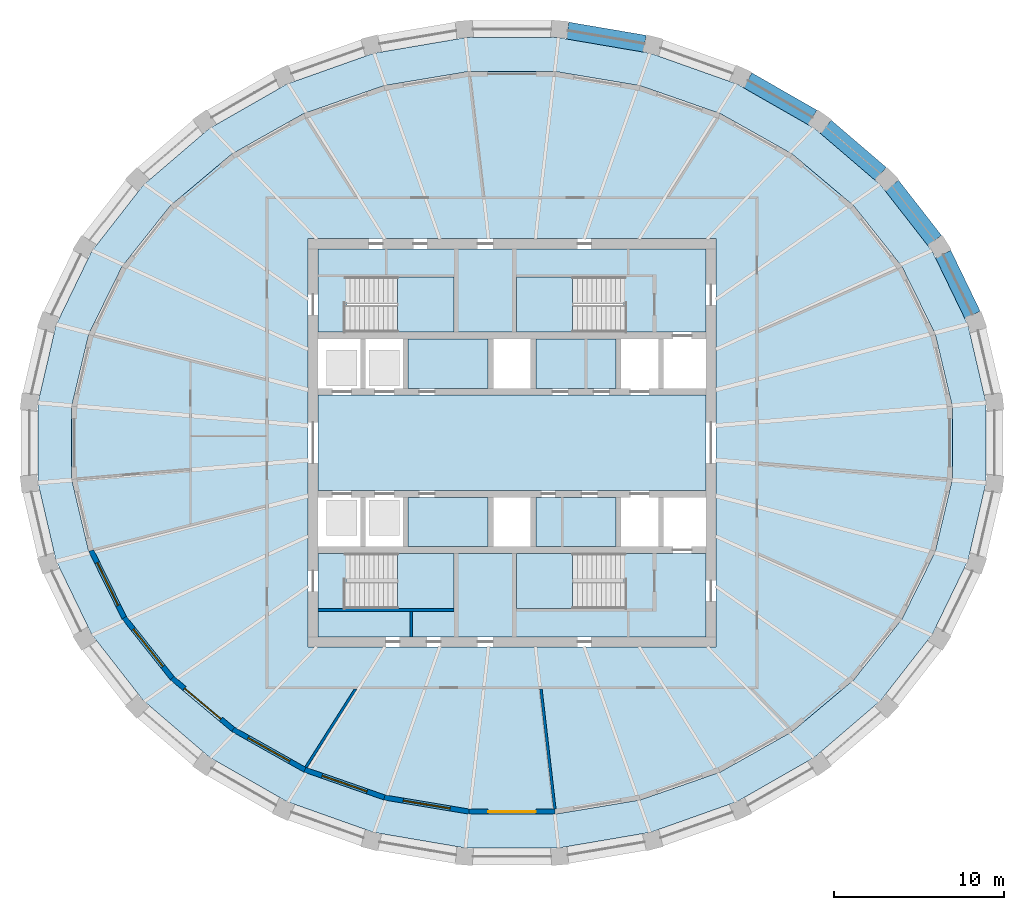
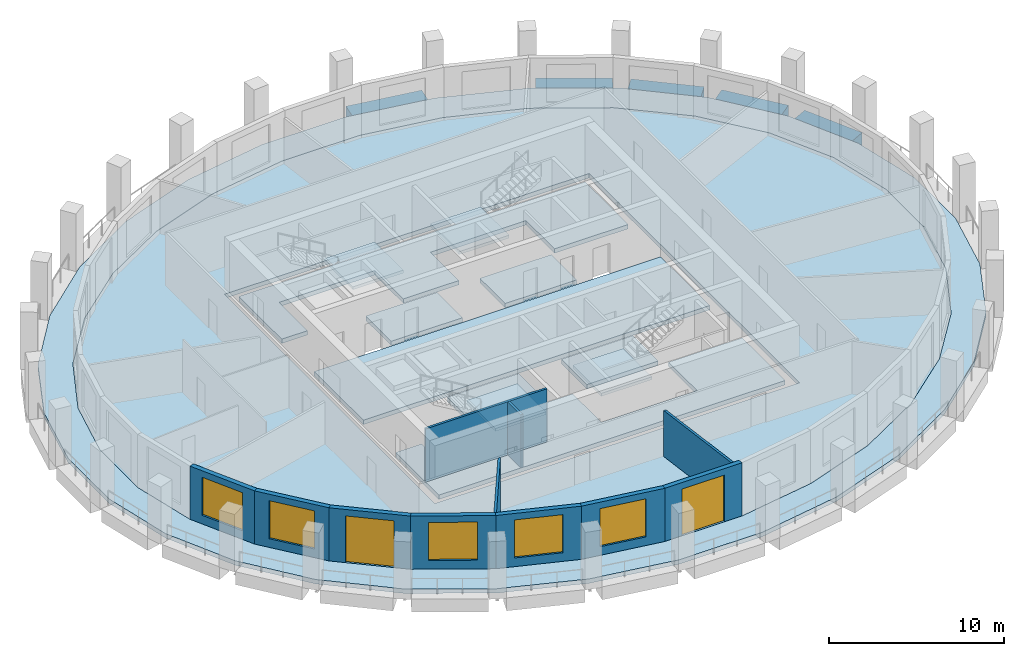
# One storey, part 2 of 10: 13 slabs, 11 walls, 5 beams, 5 windows, 2 doors, 7 openings, 4 elements without a shape of their own.
"""IFC4 building model written with IfcOpenShell, lengths in metres."""

from ifc_helpers import new_model, si_unit, direction, frame, frame_2d, origin, origin_2d, place, context, subcontext, project, spatial, polyline, rectangle, outline, extrude, material, layer, layer_set, material_profile, profile_set, type_object, element, fill, aggregate, save


model = new_model("IFC4")

# Units and contexts
model_context = context("Model", 3, precision=1e-05, world=origin(), true_north=direction((0.0, 1.0)))
body_context = subcontext(model_context, "Body", "Model", "MODEL_VIEW")
ifc_project = project(units=[si_unit("LENGTHUNIT", "METRE"), si_unit("AREAUNIT", "SQUARE_METRE"), si_unit("VOLUMEUNIT", "CUBIC_METRE"), si_unit("PLANEANGLEUNIT", "RADIAN"), si_unit("MASSUNIT", "GRAM", prefix="KILO")], contexts=[model_context])

# Site, building, storey
site_placement = place(None, origin())
site = spatial("IfcSite", under=ifc_project, at=site_placement, CompositionType="ELEMENT")
building_placement = place(site_placement, origin())
building = spatial("IfcBuilding", under=site, at=building_placement, Name="Halqa Exchange Tower", CompositionType="ELEMENT")
storey_placement = place(building_placement, frame((0.0, 0.0, 316.300048828125)))
storey = spatial("IfcBuildingStorey", under=building, at=storey_placement, Name="L74", CompositionType="ELEMENT", Elevation=316.300048828125)

# Beams
ifc_material_1 = material(Name="Concrete C60/75", Category="concrete")
ifc_material_profile = material_profile(ifc_material_1, rectangle(XDim=1.0, YDim=0.89990234375, at=origin_2d()), Name="1000 x 900")
ifc_profile_set = profile_set([ifc_material_profile], Name="Concrete C60/75")
beam_type = type_object("IfcBeamType", Name="RC spandrel beam 1000 x 900 C60/75", PredefinedType="SPANDREL", material=ifc_profile_set)
beam_1_placement = place(storey_placement, frame((27.06591796875, 7.519287109375, -0.449951171875), z_axis=(-0.43505216676, 0.900405248873, 0.0), x_axis=(-0.900405248873, -0.43505216676, 0.0)))
element("IfcBeam", 1, at=beam_1_placement, inside=storey, type_object=beam_type, Name="Spandrel 2", PredefinedType="SPANDREL", context=body_context, shape_type="SweptSolid", body=[
    extrude(rectangle(XDim=1.0, YDim=0.89990234375, at=origin_2d()), origin(), (0.0, 0.0, 1.0), 3.964111328125),
])
beam_2_placement = place(storey_placement, frame((24.8427734375, 11.89013671875, -0.449951171875), z_axis=(-0.61480594236, 0.788678421943, 0.0), x_axis=(-0.788678421943, -0.61480594236, 0.0)))
element("IfcBeam", 2, at=beam_2_placement, inside=storey, type_object=beam_type, Name="Spandrel 3", PredefinedType="SPANDREL", context=body_context, shape_type="SweptSolid", body=[
    extrude(rectangle(XDim=1.0, YDim=0.89990234375, at=origin_2d()), origin(), (0.0, 0.0, 1.0), 4.10009765625),
])
beam_3_placement = place(storey_placement, frame((21.670654296875, 15.805908203125, -0.449951171875), z_axis=(-0.759232294843, 0.65081973116, 0.0), x_axis=(-0.65081973116, -0.759232294843, 0.0)))
element("IfcBeam", 3, at=beam_3_placement, inside=storey, type_object=beam_type, Name="Spandrel 4", PredefinedType="SPANDREL", context=body_context, shape_type="SweptSolid", body=[
    extrude(rectangle(XDim=1.0, YDim=0.89990234375, at=origin_2d()), origin(), (0.0, 0.0, 1.0), 4.25390625),
])
beam_4_placement = place(storey_placement, frame((17.669189453125, 19.119140625, -0.449951171875), z_axis=(-0.86778573249, 0.49693855001, 0.0), x_axis=(-0.49693855001, -0.86778573249, 0.0)))
element("IfcBeam", 4, at=beam_4_placement, inside=storey, type_object=beam_type, Name="Spandrel 5", PredefinedType="SPANDREL", context=body_context, shape_type="SweptSolid", body=[
    extrude(rectangle(XDim=1.0, YDim=0.89990234375, at=origin_2d()), origin(), (0.0, 0.0, 1.0), 4.40478515625),
])
beam_5_placement = place(storey_placement, frame((7.805419921875, 23.456298828125, -0.449951171875), z_axis=(-0.985773042695, 0.168081849987, 0.0), x_axis=(-0.168081849987, -0.985773042695, 0.0)))
element("IfcBeam", 5, at=beam_5_placement, inside=storey, type_object=beam_type, Name="Spandrel 7", PredefinedType="SPANDREL", context=body_context, shape_type="SweptSolid", body=[
    extrude(rectangle(XDim=1.0, YDim=0.89990234375, at=origin_2d()), origin(), (0.0, 0.0, 1.0), 4.6103515625),
])

# Slabs
ifc_layer_1 = layer(ifc_material_1, 0.300048828125)
ifc_layer_set_1 = layer_set([ifc_layer_1], Name="Concrete C60/75")
slab_type_1 = type_object("IfcSlabType", Name="Core floor slab 300", PredefinedType="FLOOR", material=ifc_layer_set_1)
slab_1_placement = place(storey_placement, frame((0.0, 0.0, -0.300048828125)))
element("IfcSlab", 6, at=slab_1_placement, inside=storey, type_object=slab_type_1, Name="Core floor slab", PredefinedType="FLOOR", context=body_context, shape_type="SweptSolid", body=[
    extrude(outline(polyline([(-11.39990234375, 2.800048828125), (11.39990234375, 2.800048828125), (11.39990234375, -2.800048828125), (-11.39990234375, -2.800048828125), (-11.39990234375, 2.800048828125)])), origin(), (0.0, 0.0, 1.0), 0.300048828125),
])
slab_2_placement = place(storey_placement, frame((0.0, 0.0, -0.300048828125)))
element("IfcSlab", 7, at=slab_2_placement, inside=storey, type_object=slab_type_1, Name="Core floor slab", PredefinedType="FLOOR", context=body_context, shape_type="SweptSolid", body=[
    extrude(outline(polyline([(-11.39990234375, 11.39990234375), (11.39990234375, 11.39990234375), (11.39990234375, 6.5), (6.550048828125, 6.5), (6.550048828125, 9.75), (0.25, 9.75), (0.25, 6.5), (-3.39990234375, 6.5), (-3.39990234375, 9.75), (-9.699951171875, 9.75), (-9.699951171875, 6.5), (-11.39990234375, 6.5), (-11.39990234375, 11.39990234375)])), origin(), (0.0, 0.0, 1.0), 0.300048828125),
])
slab_3_placement = place(storey_placement, frame((0.0, 0.0, -0.300048828125)))
element("IfcSlab", 8, at=slab_3_placement, inside=storey, type_object=slab_type_1, Name="Core floor slab", PredefinedType="FLOOR", context=body_context, shape_type="SweptSolid", body=[
    extrude(outline(polyline([(-11.39990234375, -6.5), (-9.699951171875, -6.5), (-9.699951171875, -9.75), (-3.39990234375, -9.75), (-3.39990234375, -6.5), (0.25, -6.5), (0.25, -9.75), (6.550048828125, -9.75), (6.550048828125, -6.5), (11.39990234375, -6.5), (11.39990234375, -11.39990234375), (-11.39990234375, -11.39990234375), (-11.39990234375, -6.5)])), origin(), (0.0, 0.0, 1.0), 0.300048828125),
])
slab_4_placement = place(storey_placement, frame((0.0, 0.0, -0.300048828125)))
element("IfcSlab", 9, at=slab_4_placement, inside=storey, type_object=slab_type_1, Name="Core floor slab", PredefinedType="FLOOR", context=body_context, shape_type="SweptSolid", body=[
    extrude(outline(polyline([(-1.39990234375, -3.199951171875), (-1.39990234375, -6.10009765625), (-6.10009765625, -6.10009765625), (-6.10009765625, -3.199951171875), (-1.39990234375, -3.199951171875)])), origin(), (0.0, 0.0, 1.0), 0.300048828125),
])
slab_5_placement = place(storey_placement, frame((0.0, 0.0, -0.300048828125)))
element("IfcSlab", 10, at=slab_5_placement, inside=storey, type_object=slab_type_1, Name="Core floor slab", PredefinedType="FLOOR", context=body_context, shape_type="SweptSolid", body=[
    extrude(outline(polyline([(-1.39990234375, 3.199951171875), (-6.10009765625, 3.199951171875), (-6.10009765625, 6.10009765625), (-1.39990234375, 6.10009765625), (-1.39990234375, 3.199951171875)])), origin(), (0.0, 0.0, 1.0), 0.300048828125),
])
slab_6_placement = place(storey_placement, frame((0.0, 0.0, -0.300048828125)))
element("IfcSlab", 11, at=slab_6_placement, inside=storey, type_object=slab_type_1, Name="Core floor slab", PredefinedType="FLOOR", context=body_context, shape_type="SweptSolid", body=[
    extrude(outline(polyline([(6.10009765625, -3.199951171875), (6.10009765625, -6.10009765625), (1.39990234375, -6.10009765625), (1.39990234375, -3.199951171875), (6.10009765625, -3.199951171875)])), origin(), (0.0, 0.0, 1.0), 0.300048828125),
])
slab_7_placement = place(storey_placement, frame((0.0, 0.0, -0.300048828125)))
element("IfcSlab", 12, at=slab_7_placement, inside=storey, type_object=slab_type_1, Name="Core floor slab", PredefinedType="FLOOR", context=body_context, shape_type="SweptSolid", body=[
    extrude(outline(polyline([(6.10009765625, 6.10009765625), (6.10009765625, 3.199951171875), (1.39990234375, 3.199951171875), (1.39990234375, 6.10009765625), (6.10009765625, 6.10009765625)])), origin(), (0.0, 0.0, 1.0), 0.300048828125),
])
ifc_material_2 = material(Name="Concrete C40/50", Category="concrete")
ifc_layer_2 = layer(ifc_material_2, 0.300048828125)
ifc_layer_set_2 = layer_set([ifc_layer_2], Name="Concrete C40/50")
slab_type_2 = type_object("IfcSlabType", Name="RC floor slab 300", PredefinedType="FLOOR", material=ifc_layer_set_2)
slab_8_placement = place(storey_placement, frame((0.0, 0.0, -0.300048828125)))
element("IfcSlab", 13, at=slab_8_placement, inside=storey, type_object=slab_type_2, Name="Floor slab", PredefinedType="FLOOR", context=body_context, shape_type="SweptSolid", body=[
    extrude(outline(polyline([(25.876220703125, 2.155029296875), (24.877685546875, 6.380615234375), (22.92041015625, 10.35693359375), (20.08251953125, 13.93115234375), (16.4755859375, 16.966796875), (12.23876953125, 19.34912109375), (7.534912109375, 20.989013671875), (2.5439453125, 21.824462890625), (-2.5439453125, 21.824462890625), (-7.534912109375, 20.989013671875), (-12.23876953125, 19.34912109375), (-16.4755859375, 16.966796875), (-20.08251953125, 13.93115234375), (-22.92041015625, 10.35693359375), (-24.877685546875, 6.380615234375), (-25.876220703125, 2.155029296875), (-25.876220703125, -2.155029296875), (-24.877685546875, -6.380615234375), (-22.92041015625, -10.35693359375), (-20.08251953125, -13.93115234375), (-16.4755859375, -16.966796875), (-12.23876953125, -19.34912109375), (-7.534912109375, -20.989013671875), (-2.5439453125, -21.824462890625), (2.5439453125, -21.824462890625), (7.534912109375, -20.989013671875), (12.23876953125, -19.34912109375), (16.4755859375, -16.966796875), (20.08251953125, -13.93115234375), (22.92041015625, -10.35693359375), (24.877685546875, -6.380615234375), (25.876220703125, -2.155029296875), (25.876220703125, 2.155029296875)]), holes=[polyline([(-12.0, -12.0), (12.0, -12.0), (12.0, 12.0), (-12.0, 12.0), (-12.0, -12.0)])]), origin(), (0.0, 0.0, 1.0), 0.300048828125),
])
ifc_layer_3 = layer(ifc_material_2, 0.300048828125)
ifc_layer_set_3 = layer_set([ifc_layer_3], Name="Concrete C40/50")
slab_type_3 = type_object("IfcSlabType", Name="RC loggia slab 300", PredefinedType="FLOOR", material=ifc_layer_set_3)
slab_9_placement = place(storey_placement, frame((0.0, 0.0, -0.300048828125)))
element("IfcSlab", 14, at=slab_9_placement, inside=storey, type_object=slab_type_3, Name="Loggia slab", PredefinedType="FLOOR", context=body_context, shape_type="SweptSolid", body=[
    extrude(outline(polyline([(27.86279296875, 2.337158203125), (27.86279296875, -2.337158203125), (26.79833984375, -6.923828125), (24.707763671875, -11.250244140625), (21.667236328125, -15.150390625), (17.790771484375, -18.47314453125), (13.22509765625, -21.087890625), (8.146484375, -22.89111328125), (2.751220703125, -23.81103515625), (-2.751220703125, -23.81103515625), (-8.146484375, -22.89111328125), (-13.22509765625, -21.087890625), (-17.790771484375, -18.47314453125), (-21.667236328125, -15.150390625), (-24.707763671875, -11.250244140625), (-26.79833984375, -6.923828125), (-27.86279296875, -2.337158203125), (-27.86279296875, 2.337158203125), (-26.79833984375, 6.923828125), (-24.707763671875, 11.250244140625), (-21.667236328125, 15.150390625), (-17.790771484375, 18.47314453125), (-13.22509765625, 21.087890625), (-8.146484375, 22.89111328125), (-2.751220703125, 23.81103515625), (2.751220703125, 23.81103515625), (8.146484375, 22.89111328125), (13.22509765625, 21.087890625), (17.790771484375, 18.47314453125), (21.667236328125, 15.150390625), (24.707763671875, 11.250244140625), (26.79833984375, 6.923828125), (27.86279296875, 2.337158203125)]), holes=[polyline([(25.876220703125, 2.155029296875), (24.877685546875, 6.380615234375), (22.92041015625, 10.35693359375), (20.08251953125, 13.93115234375), (16.4755859375, 16.966796875), (12.23876953125, 19.34912109375), (7.534912109375, 20.989013671875), (2.5439453125, 21.824462890625), (-2.5439453125, 21.824462890625), (-7.534912109375, 20.989013671875), (-12.23876953125, 19.34912109375), (-16.4755859375, 16.966796875), (-20.08251953125, 13.93115234375), (-22.92041015625, 10.35693359375), (-24.877685546875, 6.380615234375), (-25.876220703125, 2.155029296875), (-25.876220703125, -2.155029296875), (-24.877685546875, -6.380615234375), (-22.92041015625, -10.35693359375), (-20.08251953125, -13.93115234375), (-16.4755859375, -16.966796875), (-12.23876953125, -19.34912109375), (-7.534912109375, -20.989013671875), (-2.5439453125, -21.824462890625), (2.5439453125, -21.824462890625), (7.534912109375, -20.989013671875), (12.23876953125, -19.34912109375), (16.4755859375, -16.966796875), (20.08251953125, -13.93115234375), (22.92041015625, -10.35693359375), (24.877685546875, -6.380615234375), (25.876220703125, -2.155029296875), (25.876220703125, 2.155029296875)])]), origin(), (0.0, 0.0, 1.0), 0.300048828125),
])

# Stair, slab
ifc_material_3 = material(Name="Concrete C30/37", Category="concrete")
stair_type = type_object("IfcStairType", Name="Exit stair 1500 wide", PredefinedType="HALF_TURN_STAIR", material=ifc_material_3)
stair_1_placement = place(storey_placement, origin())
stair_1 = element("IfcStair", 15, at=stair_1_placement, inside=storey, type_object=stair_type, Name="Exit stair ST1", PredefinedType="HALF_TURN_STAIR")
ifc_layer_4 = layer(ifc_material_3, 0.199951171875)
ifc_layer_set_4 = layer_set([ifc_layer_4], Name="Concrete C30/37")
slab_type_4 = type_object("IfcSlabType", Name="Stair landing 200 slab", PredefinedType="LANDING", material=ifc_layer_set_4)
slab_10_placement = place(storey_placement, frame((0.0, 0.0, 1.800048828125)))
slab_10 = element("IfcSlab", 16, at=slab_10_placement, type_object=slab_type_4, Name="ST1 landing 1", PredefinedType="LANDING", context=body_context, shape_type="SweptSolid", body=[
    extrude(outline(polyline([(-6.719970703125, 6.5), (-3.39990234375, 6.5), (-3.39990234375, 9.75), (-6.719970703125, 9.75), (-6.719970703125, 6.5)])), origin(), (0.0, 0.0, 1.0), 0.199951171875),
])
aggregate(stair_1, [slab_10])

stair_2_placement = place(storey_placement, origin())
stair_2 = element("IfcStair", 17, at=stair_2_placement, inside=storey, type_object=stair_type, Name="Exit stair ST2", PredefinedType="HALF_TURN_STAIR")
slab_11_placement = place(storey_placement, frame((0.0, 0.0, 1.800048828125)))
slab_11 = element("IfcSlab", 18, at=slab_11_placement, type_object=slab_type_4, Name="ST2 landing 1", PredefinedType="LANDING", context=body_context, shape_type="SweptSolid", body=[
    extrude(outline(polyline([(0.25, 6.5), (3.570068359375, 6.5), (3.570068359375, 9.75), (0.25, 9.75), (0.25, 6.5)])), origin(), (0.0, 0.0, 1.0), 0.199951171875),
])
aggregate(stair_2, [slab_11])

stair_3_placement = place(storey_placement, origin())
stair_3 = element("IfcStair", 19, at=stair_3_placement, inside=storey, type_object=stair_type, Name="Exit stair ST3", PredefinedType="HALF_TURN_STAIR")
slab_12_placement = place(storey_placement, frame((0.0, 0.0, 1.800048828125)))
slab_12 = element("IfcSlab", 20, at=slab_12_placement, type_object=slab_type_4, Name="ST3 landing 1", PredefinedType="LANDING", context=body_context, shape_type="SweptSolid", body=[
    extrude(outline(polyline([(-6.719970703125, -9.75), (-3.39990234375, -9.75), (-3.39990234375, -6.5), (-6.719970703125, -6.5), (-6.719970703125, -9.75)])), origin(), (0.0, 0.0, 1.0), 0.199951171875),
])
aggregate(stair_3, [slab_12])

stair_4_placement = place(storey_placement, origin())
stair_4 = element("IfcStair", 21, at=stair_4_placement, inside=storey, type_object=stair_type, Name="Exit stair ST4", PredefinedType="HALF_TURN_STAIR")
slab_13_placement = place(storey_placement, frame((0.0, 0.0, 1.800048828125)))
slab_13 = element("IfcSlab", 22, at=slab_13_placement, type_object=slab_type_4, Name="ST4 landing 1", PredefinedType="LANDING", context=body_context, shape_type="SweptSolid", body=[
    extrude(outline(polyline([(0.25, -9.75), (3.570068359375, -9.75), (3.570068359375, -6.5), (0.25, -6.5), (0.25, -9.75)])), origin(), (0.0, 0.0, 1.0), 0.199951171875),
])
aggregate(stair_4, [slab_13])

# Walls
ifc_material_4 = material(Name="Fire-rated gypsum board")
ifc_layer_5 = layer(ifc_material_4, 0.14990234375)
ifc_layer_set_5 = layer_set([ifc_layer_5], Name="Fire-rated gypsum board")
wall_type_1 = type_object("IfcWallType", Name="Fire partition EI 60 150", PredefinedType="PARTITIONING", material=ifc_layer_set_5)
wall_1_placement = place(storey_placement, frame((-9.172119140625, -14.43505859375, 0.0), z_axis=(0.0, 0.0, 1.0), x_axis=(-0.536016173419, -0.844207712493, 0.0)))
element("IfcWall", 23, at=wall_1_placement, inside=storey, type_object=wall_type_1, Name="L74-PWL-009", PredefinedType="PARTITIONING", context=body_context, shape_type="SweptSolid", body=[
    extrude(outline(polyline([(0.094970703125, -0.074951171875), (1.89599609375, -0.074951171875), (3.697265625, -0.074951171875), (5.498291015625, -0.074951171875), (5.494140625, 0.002685546875), (5.477294921875, 0.074951171875), (3.6513671875, 0.074951171875), (1.82568359375, 0.074951171875), (0.0, 0.074951171875), (0.0, 0.074462890625), (0.094970703125, -0.074951171875)])), origin(), (0.0, 0.0, 1.0), 3.699951171875),
])
wall_2_placement = place(storey_placement, frame((1.69775390625, -14.466552734375, 0.0), z_axis=(0.0, 0.0, 1.0), x_axis=(0.115131681879, -0.993350238248, 0.0)))
element("IfcWall", 24, at=wall_2_placement, inside=storey, type_object=wall_type_1, Name="L74-PWL-012", PredefinedType="PARTITIONING", context=body_context, shape_type="SweptSolid", body=[
    extrude(outline(polyline([(0.0, -0.074951171875), (1.774169921875, -0.074951171875), (3.54833984375, -0.074951171875), (5.322265625, -0.074951171875), (7.096435546875, -0.074951171875), (7.1015625, -0.03125), (7.1015625, 0.074951171875), (5.33056640625, 0.074951171875), (3.559326171875, 0.074951171875), (1.788330078125, 0.074951171875), (0.01708984375, 0.074951171875), (0.0, -0.073486328125), (0.0, -0.074951171875)])), origin(), (0.0, 0.0, 1.0), 3.199951171875),
])
ifc_material_5 = material(Name="Gypsum board")
ifc_layer_6 = layer(ifc_material_5, 0.14990234375)
ifc_layer_set_6 = layer_set([ifc_layer_6], Name="Gypsum board")
wall_type_2 = type_object("IfcWallType", Name="Penthouse riser wall 150 gypsum", PredefinedType="PARTITIONING", material=ifc_layer_set_6)
wall_3_placement = place(storey_placement, frame((-5.925048828125, -11.39990234375, 0.0), z_axis=(0.0, 0.0, 1.0), x_axis=(0.0, 1.0, 0.0)))
element("IfcWall", 25, at=wall_3_placement, inside=storey, type_object=wall_type_2, Name="Partition W5.925 S", PredefinedType="PARTITIONING", context=body_context, shape_type="SweptSolid", body=[
    extrude(rectangle(XDim=1.5, YDim=0.14990234375, at=frame_2d((0.75, 0.0))), origin(), (0.0, 0.0, 1.0), 3.699951171875),
])
ifc_layer_7 = layer(ifc_material_3, 0.14990234375)
ifc_layer_set_7 = layer_set([ifc_layer_7], Name="Concrete C30/37")
wall_type_3 = type_object("IfcWallType", Name="RC stair wall 150 C30/37", PredefinedType="SHEAR", material=ifc_layer_set_7)
wall_4_placement = place(storey_placement, frame((-11.39990234375, -9.824951171875, 0.0), z_axis=(0.0, 0.0, 1.0), x_axis=(1.0, 0.0, 0.0)))
element("IfcWall", 26, at=wall_4_placement, inside=storey, type_object=wall_type_3, Name="Stair ST1 north wall S", PredefinedType="SHEAR", context=body_context, shape_type="SweptSolid", body=[
    extrude(rectangle(XDim=8.0, YDim=0.14990234375, at=frame_2d((4.0, 0.0))), origin(), (0.0, 0.0, 1.0), 3.699951171875),
])

# Wall, opening, window
ifc_material_6 = material(Name="Limestone cladding", Category="masonry")
ifc_layer_8 = layer(ifc_material_6, 0.0400390625)
ifc_material_7 = material(Name="Ventilated cavity")
ifc_layer_9 = layer(ifc_material_7, 0.030029296875, ventilated=True)
ifc_material_8 = material(Name="Mineral wool insulation")
ifc_layer_10 = layer(ifc_material_8, 0.10009765625)
ifc_layer_11 = layer(ifc_material_3, 0.10009765625)
ifc_material_9 = material(Name="Internal plaster")
ifc_layer_12 = layer(ifc_material_9, 0.030029296875)
ifc_layer_set_8 = layer_set([ifc_layer_8, ifc_layer_9, ifc_layer_10, ifc_layer_11, ifc_layer_12], Name="Stone-faced insulated wall 300")
wall_type_4 = type_object("IfcWallType", Name="Stone-faced insulated wall 300", PredefinedType="STANDARD", material=ifc_layer_set_8)
wall_5_placement = place(storey_placement, frame((-24.735595703125, -6.32958984375, 0.0), z_axis=(0.0, 0.0, 1.0), x_axis=(0.441610485853, -0.897206876247, 0.0)))
wall_5 = element("IfcWall", 27, at=wall_5_placement, inside=storey, type_object=wall_type_4, Name="Glass-line wall 18", PredefinedType="STANDARD", context=body_context, shape_type="SweptSolid", body=[
    extrude(outline(polyline([(-0.01708984375, -0.14990234375), (4.4150390625, -0.14990234375), (4.3828125, 0.14990234375), (0.01708984375, 0.14990234375), (-0.01708984375, -0.14990234375)])), origin(), (0.0, 0.0, 1.0), 3.699951171875),
])
opening_1_placement = place(wall_5_placement, frame((0.799560546875, 0.0, 0.60009765625)))
opening_1 = element("IfcOpeningElement", 28, at=opening_1_placement, cuts=wall_5, Name="Opening W-F4-18", PredefinedType="OPENING", context=body_context, shape_type="SweptSolid", body=[
    extrude(rectangle(XDim=2.800048828125, YDim=2.64990234375, at=frame_2d((1.39990234375, 1.324951171875))), frame((0.0, 0.162109375, 0.0), z_axis=(0.0, -1.0, 0.0), x_axis=(1.0, 0.0, 0.0)), (0.0, 0.0, 1.0), 0.323974609375),
])
ifc_material_10 = material(Name="Clear low-emissivity glass in aluminium frame", Category="aluminium")
window_type = type_object("IfcWindowType", Name="Fixed clear glazed window 2800 x 2650", PartitioningType="DOUBLE_PANEL_VERTICAL", PredefinedType="WINDOW", material=ifc_material_10)
window_1_placement = place(opening_1_placement, origin())
window_1 = element("IfcWindow", 29, at=window_1_placement, inside=storey, type_object=window_type, Name="Window 4", OverallHeight=2.64990234375, OverallWidth=2.800048828125, PartitioningType="DOUBLE_PANEL_VERTICAL", PredefinedType="WINDOW", context=body_context, shape_type="SweptSolid", body=[
    extrude(rectangle(XDim=2.800048828125, YDim=2.64990234375, at=frame_2d((1.39990234375, 1.324951171875))), frame((0.0, 0.030029296875, 0.0), z_axis=(0.0, -1.0, 0.0), x_axis=(1.0, 0.0, 0.0)), (0.0, 0.0, 1.0), 0.06005859375),
])
fill(opening_1, window_1)

wall_6_placement = place(storey_placement, frame((-22.79296875, -10.2763671875, 0.0), z_axis=(0.0, 0.0, 1.0), x_axis=(0.621800530555, -0.783175650925, 0.0)))
wall_6 = element("IfcWall", 30, at=wall_6_placement, inside=storey, type_object=wall_type_4, Name="Glass-line wall 19", PredefinedType="STANDARD", context=body_context, shape_type="SweptSolid", body=[
    extrude(outline(polyline([(-0.01611328125, -0.14990234375), (4.547607421875, -0.14990234375), (4.517333984375, 0.14990234375), (0.01611328125, 0.14990234375), (-0.01611328125, -0.14990234375)])), origin(), (0.0, 0.0, 1.0), 3.699951171875),
])
opening_2_placement = place(wall_6_placement, frame((0.8662109375, 0.0, 0.60009765625)))
opening_2 = element("IfcOpeningElement", 31, at=opening_2_placement, cuts=wall_6, Name="Opening W-F4-19", PredefinedType="OPENING", context=body_context, shape_type="SweptSolid", body=[
    extrude(rectangle(XDim=2.800048828125, YDim=2.64990234375, at=frame_2d((1.39990234375, 1.324951171875))), frame((0.0, 0.162109375, 0.0), z_axis=(0.0, -1.0, 0.0), x_axis=(1.0, 0.0, 0.0)), (0.0, 0.0, 1.0), 0.323974609375),
])
window_2_placement = place(opening_2_placement, origin())
window_2 = element("IfcWindow", 32, at=window_2_placement, inside=storey, type_object=window_type, Name="Window 4", OverallHeight=2.64990234375, OverallWidth=2.800048828125, PartitioningType="DOUBLE_PANEL_VERTICAL", PredefinedType="WINDOW", context=body_context, shape_type="SweptSolid", body=[
    extrude(rectangle(XDim=2.800048828125, YDim=2.64990234375, at=frame_2d((1.39990234375, 1.324951171875))), frame((0.0, 0.030029296875, 0.0), z_axis=(0.0, -1.0, 0.0), x_axis=(1.0, 0.0, 0.0)), (0.0, 0.0, 1.0), 0.06005859375),
])
fill(opening_2, window_2)

# Wall, opening, door
wall_7_placement = place(storey_placement, frame((-19.974609375, -13.826171875, 0.0), z_axis=(0.0, 0.0, 1.0), x_axis=(0.765128700347, -0.643877373344, 0.0)))
wall_7 = element("IfcWall", 33, at=wall_7_placement, inside=storey, type_object=wall_type_4, Name="Glass-line wall 20", PredefinedType="STANDARD", context=body_context, shape_type="SweptSolid", body=[
    extrude(outline(polyline([(-0.01513671875, -0.14990234375), (4.69970703125, -0.14990234375), (4.67138671875, 0.14990234375), (0.01513671875, 0.14990234375), (-0.01513671875, -0.14990234375)])), origin(), (0.0, 0.0, 1.0), 3.699951171875),
])
opening_3_placement = place(wall_7_placement, frame((0.942626953125, 0.0, 0.0)))
opening_3 = element("IfcOpeningElement", 34, at=opening_3_placement, cuts=wall_7, Name="Opening LG-F4-05", PredefinedType="OPENING", context=body_context, shape_type="SweptSolid", body=[
    extrude(rectangle(XDim=2.800048828125, YDim=3.25, at=frame_2d((1.39990234375, 1.625))), frame((0.0, 0.162109375, 0.0), z_axis=(0.0, -1.0, 0.0), x_axis=(1.0, 0.0, 0.0)), (0.0, 0.0, 1.0), 0.323974609375),
])
door_type = type_object("IfcDoorType", Name="Glazed sliding loggia door 2800 x 3250", OperationType="DOUBLE_DOOR_SLIDING", PredefinedType="DOOR", material=ifc_material_10)
door_1_placement = place(opening_3_placement, origin())
door_1 = element("IfcDoor", 35, at=door_1_placement, inside=storey, type_object=door_type, Name="Loggia door 5", OperationType="DOUBLE_DOOR_SLIDING", OverallHeight=3.25, OverallWidth=2.800048828125, PredefinedType="DOOR", context=body_context, shape_type="SweptSolid", body=[
    extrude(rectangle(XDim=2.800048828125, YDim=3.25, at=frame_2d((1.39990234375, 1.625))), frame((0.0, 0.02490234375, 0.0), z_axis=(0.0, -1.0, 0.0), x_axis=(1.0, 0.0, 0.0)), (0.0, 0.0, 1.0), 0.050048828125),
])
fill(opening_3, door_1)

# Wall, opening, window
wall_8_placement = place(storey_placement, frame((-16.3896484375, -16.843017578125, 0.0), z_axis=(0.0, 0.0, 1.0), x_axis=(0.871651071333, -0.49012693238, 0.0)))
wall_8 = element("IfcWall", 36, at=wall_8_placement, inside=storey, type_object=wall_type_4, Name="Glass-line wall 21", PredefinedType="STANDARD", context=body_context, shape_type="SweptSolid", body=[
    extrude(outline(polyline([(-0.01416015625, -0.14990234375), (4.846435546875, -0.14990234375), (4.820068359375, 0.14990234375), (0.01416015625, 0.14990234375), (-0.01416015625, -0.14990234375)])), origin(), (0.0, 0.0, 1.0), 3.699951171875),
])
opening_4_placement = place(wall_8_placement, frame((1.0166015625, 0.0, 0.60009765625)))
opening_4 = element("IfcOpeningElement", 37, at=opening_4_placement, cuts=wall_8, Name="Opening W-F4-21", PredefinedType="OPENING", context=body_context, shape_type="SweptSolid", body=[
    extrude(rectangle(XDim=2.800048828125, YDim=2.64990234375, at=frame_2d((1.39990234375, 1.324951171875))), frame((0.0, 0.162109375, 0.0), z_axis=(0.0, -1.0, 0.0), x_axis=(1.0, 0.0, 0.0)), (0.0, 0.0, 1.0), 0.323974609375),
])
window_3_placement = place(opening_4_placement, origin())
window_3 = element("IfcWindow", 38, at=window_3_placement, inside=storey, type_object=window_type, Name="Window 4", OverallHeight=2.64990234375, OverallWidth=2.800048828125, PartitioningType="DOUBLE_PANEL_VERTICAL", PredefinedType="WINDOW", context=body_context, shape_type="SweptSolid", body=[
    extrude(rectangle(XDim=2.800048828125, YDim=2.64990234375, at=frame_2d((1.39990234375, 1.324951171875))), frame((0.0, 0.030029296875, 0.0), z_axis=(0.0, -1.0, 0.0), x_axis=(1.0, 0.0, 0.0)), (0.0, 0.0, 1.0), 0.06005859375),
])
fill(opening_4, window_3)

wall_9_placement = place(storey_placement, frame((-12.1767578125, -19.2119140625, 0.0), z_axis=(0.0, 0.0, 1.0), x_axis=(0.944273917508, -0.329160703479, 0.0)))
wall_9 = element("IfcWall", 39, at=wall_9_placement, inside=storey, type_object=wall_type_4, Name="Glass-line wall 22", PredefinedType="STANDARD", context=body_context, shape_type="SweptSolid", body=[
    extrude(outline(polyline([(-0.01318359375, -0.14990234375), (4.968017578125, -0.14990234375), (4.942626953125, 0.14990234375), (0.01318359375, 0.14990234375), (-0.01318359375, -0.14990234375)])), origin(), (0.0, 0.0, 1.0), 3.699951171875),
])
opening_5_placement = place(wall_9_placement, frame((1.07763671875, 0.0, 0.60009765625)))
opening_5 = element("IfcOpeningElement", 40, at=opening_5_placement, cuts=wall_9, Name="Opening W-F4-22", PredefinedType="OPENING", context=body_context, shape_type="SweptSolid", body=[
    extrude(rectangle(XDim=2.800048828125, YDim=2.64990234375, at=frame_2d((1.39990234375, 1.324951171875))), frame((0.0, 0.162109375, 0.0), z_axis=(0.0, -1.0, 0.0), x_axis=(1.0, 0.0, 0.0)), (0.0, 0.0, 1.0), 0.323974609375),
])
window_4_placement = place(opening_5_placement, origin())
window_4 = element("IfcWindow", 41, at=window_4_placement, inside=storey, type_object=window_type, Name="Window 4", OverallHeight=2.64990234375, OverallWidth=2.800048828125, PartitioningType="DOUBLE_PANEL_VERTICAL", PredefinedType="WINDOW", context=body_context, shape_type="SweptSolid", body=[
    extrude(rectangle(XDim=2.800048828125, YDim=2.64990234375, at=frame_2d((1.39990234375, 1.324951171875))), frame((0.0, 0.030029296875, 0.0), z_axis=(0.0, -1.0, 0.0), x_axis=(1.0, 0.0, 0.0)), (0.0, 0.0, 1.0), 0.06005859375),
])
fill(opening_5, window_4)

wall_10_placement = place(storey_placement, frame((-7.49755859375, -20.843017578125, 0.0), z_axis=(0.0, 0.0, 1.0), x_axis=(0.986269147983, -0.165145898335, 0.0)))
wall_10 = element("IfcWall", 42, at=wall_10_placement, inside=storey, type_object=wall_type_4, Name="Glass-line wall 23", PredefinedType="STANDARD", context=body_context, shape_type="SweptSolid", body=[
    extrude(outline(polyline([(-0.0126953125, -0.14990234375), (5.047607421875, -0.14990234375), (5.022705078125, 0.14990234375), (0.0126953125, 0.14990234375), (-0.0126953125, -0.14990234375)])), origin(), (0.0, 0.0, 1.0), 3.699951171875),
])
opening_6_placement = place(wall_10_placement, frame((1.11767578125, 0.0, 0.60009765625)))
opening_6 = element("IfcOpeningElement", 43, at=opening_6_placement, cuts=wall_10, Name="Opening W-F4-23", PredefinedType="OPENING", context=body_context, shape_type="SweptSolid", body=[
    extrude(rectangle(XDim=2.800048828125, YDim=2.64990234375, at=frame_2d((1.39990234375, 1.324951171875))), frame((0.0, 0.162109375, 0.0), z_axis=(0.0, -1.0, 0.0), x_axis=(1.0, 0.0, 0.0)), (0.0, 0.0, 1.0), 0.323974609375),
])
window_5_placement = place(opening_6_placement, origin())
window_5 = element("IfcWindow", 44, at=window_5_placement, inside=storey, type_object=window_type, Name="Window 4", OverallHeight=2.64990234375, OverallWidth=2.800048828125, PartitioningType="DOUBLE_PANEL_VERTICAL", PredefinedType="WINDOW", context=body_context, shape_type="SweptSolid", body=[
    extrude(rectangle(XDim=2.800048828125, YDim=2.64990234375, at=frame_2d((1.39990234375, 1.324951171875))), frame((0.0, 0.030029296875, 0.0), z_axis=(0.0, -1.0, 0.0), x_axis=(1.0, 0.0, 0.0)), (0.0, 0.0, 1.0), 0.06005859375),
])
fill(opening_6, window_5)

# Wall, opening, door
wall_11_placement = place(storey_placement, frame((-2.531494140625, -21.674560546875, 0.0), z_axis=(0.0, 0.0, 1.0), x_axis=(1.0, 0.0, 0.0)))
wall_11 = element("IfcWall", 45, at=wall_11_placement, inside=storey, type_object=wall_type_4, Name="Glass-line wall 24", PredefinedType="STANDARD", context=body_context, shape_type="SweptSolid", body=[
    extrude(outline(polyline([(-0.012451171875, -0.14990234375), (5.075439453125, -0.14990234375), (5.050537109375, 0.14990234375), (0.012451171875, 0.14990234375), (-0.012451171875, -0.14990234375)])), origin(), (0.0, 0.0, 1.0), 3.699951171875),
])
opening_7_placement = place(wall_11_placement, frame((1.131591796875, 0.0, 0.0)))
opening_7 = element("IfcOpeningElement", 46, at=opening_7_placement, cuts=wall_11, Name="Opening LG-F4-06", PredefinedType="OPENING", context=body_context, shape_type="SweptSolid", body=[
    extrude(rectangle(XDim=2.800048828125, YDim=3.25, at=frame_2d((1.39990234375, 1.625))), frame((0.0, 0.162109375, 0.0), z_axis=(0.0, -1.0, 0.0), x_axis=(1.0, 0.0, 0.0)), (0.0, 0.0, 1.0), 0.323974609375),
])
door_2_placement = place(opening_7_placement, origin())
door_2 = element("IfcDoor", 47, at=door_2_placement, inside=storey, type_object=door_type, Name="Loggia door 6", OperationType="DOUBLE_DOOR_SLIDING", OverallHeight=3.25, OverallWidth=2.800048828125, PredefinedType="DOOR", context=body_context, shape_type="SweptSolid", body=[
    extrude(rectangle(XDim=2.800048828125, YDim=3.25, at=frame_2d((1.39990234375, 1.625))), frame((0.0, 0.02490234375, 0.0), z_axis=(0.0, -1.0, 0.0), x_axis=(1.0, 0.0, 0.0)), (0.0, 0.0, 1.0), 0.050048828125),
])
fill(opening_7, door_2)

save(model, "model.ifc")
